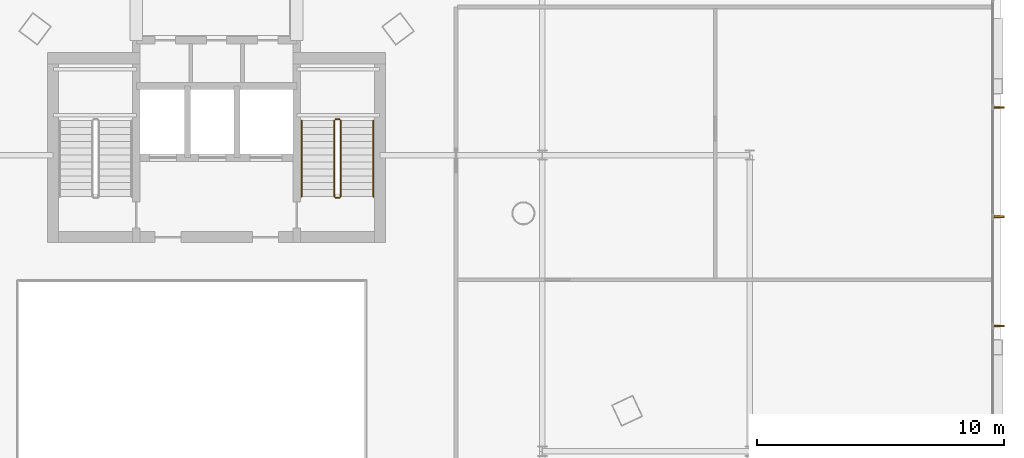
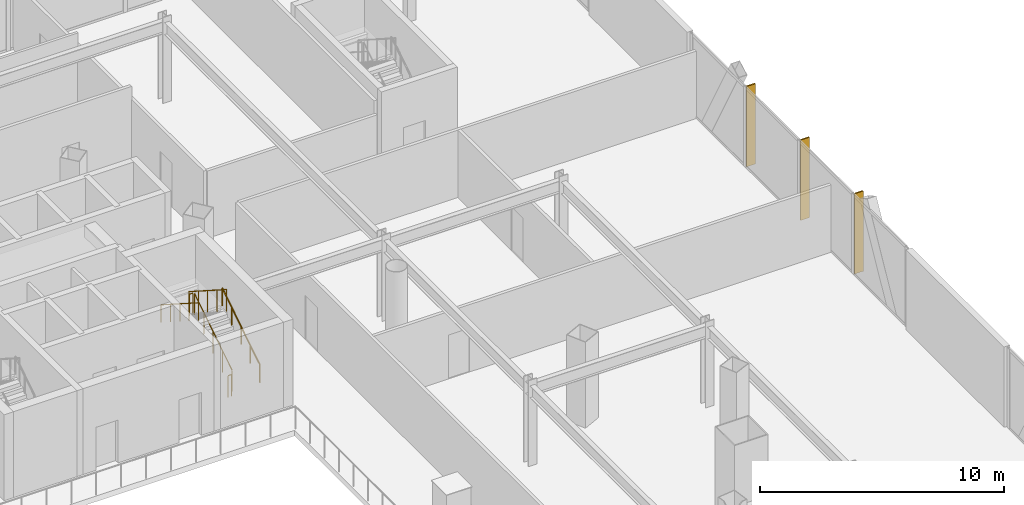
# One storey, part 39 of 42: 6 railings, 3 shading devices.
"""IFC4 building model written with IfcOpenShell, lengths in metres."""

import ifcopenshell
import ifcopenshell.guid

model = None  # the IFC model being written
_history = None  # IfcOwnerHistory: only IFC2X3 demands one
_inside = {}  # id of a spatial element -> (the spatial element, [elements in it])
_under = {}  # id of a project, library or spatial element -> (it, [spatial elements below it])
_declared = {}  # id of a project -> (the project, [libraries it declares])
_typed = {}  # id of a type object -> (the type object, [elements of that type])
_made_of = {}  # id of a material, layer set ... -> (it, [elements and type objects made of it])


def new_model(schema):
    """Start an empty IFC model of exactly this schema.

    Asked for "IFC4X3", IfcOpenShell would pick the latest addendum, in which some entities
    have other attributes; the version numbers below select the first issue.
    IFC2X3 requires an IfcOwnerHistory on every rooted entity: one is made here for all.
    """
    global model, _history
    if schema == "IFC4X3":
        model = ifcopenshell.file(schema_version=(4, 3, 0, 0))
    else:
        model = ifcopenshell.file(schema=schema)
    _inside.clear()
    _under.clear()
    _declared.clear()
    _typed.clear()
    _made_of.clear()
    _history = None
    if model.schema == "IFC2X3":
        org = make("IfcOrganization", Name="unknown")
        user = make(
            "IfcPersonAndOrganization",
            ThePerson=make("IfcPerson", FamilyName="unknown"),
            TheOrganization=org,
        )
        app = make(
            "IfcApplication",
            ApplicationDeveloper=org,
            Version="unknown",
            ApplicationFullName="unknown",
            ApplicationIdentifier="unknown",
        )
        _history = make(
            "IfcOwnerHistory",
            OwningUser=user,
            OwningApplication=app,
            ChangeAction="ADDED",
            CreationDate=0,
        )
    return model


def make(cls, **values):
    """One entity of the class cls with the attributes given. An attribute that is None is left unset."""
    return model.create_entity(
        cls, **{name: value for name, value in values.items() if value is not None}
    )


def rooted(cls, **values):
    """An entity with a GlobalId (a new one), such as an element, a storey or a relation."""
    return make(cls, GlobalId=ifcopenshell.guid.new(), OwnerHistory=_history, **values)


def si_unit(unit_type, name, prefix=None):
    """IfcSIUnit, for example si_unit("LENGTHUNIT", "METRE", prefix="MILLI")."""
    return make("IfcSIUnit", UnitType=unit_type, Prefix=prefix, Name=name)


def assignment(units):
    """IfcUnitAssignment: the units of a project."""
    return None if units is None else make("IfcUnitAssignment", Units=units)


def point(xyz):
    """IfcCartesianPoint."""
    return None if xyz is None else make("IfcCartesianPoint", Coordinates=xyz)


def direction(xyz):
    """IfcDirection."""
    return None if xyz is None else make("IfcDirection", DirectionRatios=xyz)


def frame(location, z_axis=None, x_axis=None):
    """IfcAxis2Placement3D, a coordinate frame: its origin and axes. An axis left out is left unset."""
    return make(
        "IfcAxis2Placement3D",
        Location=point(location),
        Axis=direction(z_axis),
        RefDirection=direction(x_axis),
    )


def frame_2d(location, x_axis=None):
    """IfcAxis2Placement2D, a coordinate frame in the plane: its origin and x axis."""
    return make(
        "IfcAxis2Placement2D", Location=point(location), RefDirection=direction(x_axis)
    )


def origin():
    """The frame at (0, 0, 0) with its axes left unset."""
    return frame((0.0, 0.0, 0.0))


def origin_2d():
    """The frame at (0, 0) in the plane with its x axis left unset."""
    return frame_2d((0.0, 0.0))


def place(relative_to, where):
    """IfcLocalPlacement: puts the frame where relative to a parent placement (None: the world)."""
    return make(
        "IfcLocalPlacement", PlacementRelTo=relative_to, RelativePlacement=where
    )


def context(
    kind, dimensions, precision=None, world=None, true_north=None, identifier=None
):
    """IfcGeometricRepresentationContext, for example the 3D "Model" context."""
    return make(
        "IfcGeometricRepresentationContext",
        ContextIdentifier=identifier,
        ContextType=kind,
        CoordinateSpaceDimension=dimensions,
        Precision=precision,
        WorldCoordinateSystem=world,
        TrueNorth=true_north,
    )


def subcontext(parent, identifier, kind, view, scale=None):
    """IfcGeometricRepresentationSubContext, for example "Body" below "Model"."""
    return make(
        "IfcGeometricRepresentationSubContext",
        ContextIdentifier=identifier,
        ContextType=kind,
        ParentContext=parent,
        TargetScale=scale,
        TargetView=view,
    )


def project(units=None, contexts=None):
    """IfcProject with its units and contexts."""
    return rooted(
        "IfcProject",
        Name="project",
        RepresentationContexts=contexts,
        UnitsInContext=assignment(units),
    )


def spatial(cls, under=None, at=None, **own):
    """A site, building, storey or space (cls), placed at a placement, below another one or the project."""
    s = rooted(cls, ObjectPlacement=at, **own)
    if under is not None:
        _under.setdefault(under.id(), (under, []))[1].append(s)
    return s


def profile(cls, at=None, kind="AREA", **sizes):
    """A parametric profile (cls). Its sizes go by their IFC names, for example OverallWidth=200.0."""
    return make(cls, ProfileType=kind, Position=at, **sizes)


def rectangle(**sizes):
    """IfcRectangleProfileDef."""
    return profile("IfcRectangleProfileDef", **sizes)


def circle(**sizes):
    """IfcCircleProfileDef."""
    return profile("IfcCircleProfileDef", **sizes)


def extrude(swept, where, along, depth):
    """IfcExtrudedAreaSolid: the profile swept, set in the frame where, extruded along a direction by depth."""
    return make(
        "IfcExtrudedAreaSolid",
        SweptArea=swept,
        Position=where,
        ExtrudedDirection=direction(along),
        Depth=depth,
    )


def shape(context_of_items, identifier, shape_type, items):
    """IfcShapeRepresentation: the items that make up one representation, for example the "Body"."""
    return make(
        "IfcShapeRepresentation",
        ContextOfItems=context_of_items,
        RepresentationIdentifier=identifier,
        RepresentationType=shape_type,
        Items=items,
    )


def material(Name=None, Category=None):
    """IfcMaterial."""
    return make("IfcMaterial", Name=Name, Category=Category)


def layer(
    of_material, thickness, ventilated=None, Name=None, Category=None, Priority=None
):
    """IfcMaterialLayer: one layer of a wall or slab, of a material (None: an air gap)."""
    return make(
        "IfcMaterialLayer",
        Material=of_material,
        LayerThickness=thickness,
        IsVentilated=ventilated,
        Name=Name,
        Category=Category,
        Priority=Priority,
    )


def layer_set(layers, Name=None):
    """IfcMaterialLayerSet."""
    return make("IfcMaterialLayerSet", MaterialLayers=layers, LayerSetName=Name)


def made_of(thing, what):
    """Note that an element or type object is made of a material, layer set ...; save() writes the relation."""
    if what is not None:
        _made_of.setdefault(what.id(), (what, []))[1].append(thing)
    return thing


def type_object(cls, material=None, **own):
    """A type object (cls), such as IfcWallType, which elements share."""
    return made_of(rooted(cls, **own), material)


def element(
    cls,
    number,
    at=None,
    inside=None,
    cuts=None,
    type_object=None,
    material=None,
    context=None,
    identifier="Body",
    shape_type=None,
    held_by="IfcProductDefinitionShape",
    body=None,
    shapes=None,
    **own,
):
    """One element of the class cls, such as IfcWall. Its Tag is "e" and its number.

    at: its placement. inside: the storey or other place that contains it. cuts: it is an
    opening in that element (IfcRelVoidsElement). A single representation is given by context,
    identifier, shape_type and body (its items); several are given by shapes. held_by: the class
    of the entity that holds the representations. save() writes the other relations.
    """
    e = rooted(cls, Tag="e%d" % number, ObjectPlacement=at, **own)
    if body is not None:
        shapes = [shape(context, identifier, shape_type, body)]
    if shapes is not None:
        e.Representation = make(held_by, Representations=shapes)
    if inside is not None:
        _inside.setdefault(inside.id(), (inside, []))[1].append(e)
    if cuts is not None:
        rooted(
            "IfcRelVoidsElement", RelatingBuildingElement=cuts, RelatedOpeningElement=e
        )
    if type_object is not None:
        _typed.setdefault(type_object.id(), (type_object, []))[1].append(e)
    return made_of(e, material)


def aggregate(whole, parts):
    """IfcRelAggregates: a whole, such as a stair, and the parts it consists of."""
    return rooted("IfcRelAggregates", RelatingObject=whole, RelatedObjects=parts)


def save(model, path):
    """Write the relations noted so far, then the file.

    IfcRelAggregates (storeys below a building ...), IfcRelContainedInSpatialStructure (elements
    in a storey), IfcRelDefinesByType, IfcRelAssociatesMaterial and IfcRelDeclares: one each for
    every whole, place, type object, material and project.
    """
    for whole, parts in _under.values():
        aggregate(whole, parts)
    for where, things in _inside.values():
        rooted(
            "IfcRelContainedInSpatialStructure",
            RelatedElements=things,
            RelatingStructure=where,
        )
    for kind, things in _typed.values():
        rooted("IfcRelDefinesByType", RelatedObjects=things, RelatingType=kind)
    for what, things in _made_of.values():
        rooted("IfcRelAssociatesMaterial", RelatedObjects=things, RelatingMaterial=what)
    for by, libraries in _declared.values():
        rooted("IfcRelDeclares", RelatingContext=by, RelatedDefinitions=libraries)
    model.write(path)


model = new_model("IFC4")

# Units and contexts
model_context = context("Model", 3, precision=1e-05, world=origin(), true_north=direction((0.0, 1.0)))
body_context = subcontext(model_context, "Body", "Model", "MODEL_VIEW")
ifc_project = project(units=[si_unit("LENGTHUNIT", "METRE"), si_unit("AREAUNIT", "SQUARE_METRE"), si_unit("VOLUMEUNIT", "CUBIC_METRE"), si_unit("PLANEANGLEUNIT", "RADIAN"), si_unit("MASSUNIT", "GRAM", prefix="KILO")], contexts=[model_context])

# Site, building, storey
site_placement = place(None, origin())
site = spatial("IfcSite", under=ifc_project, at=site_placement, CompositionType="ELEMENT")
building_placement = place(site_placement, origin())
building = spatial("IfcBuilding", under=site, at=building_placement, Name="Orvanel Arch Residences", CompositionType="ELEMENT")
storey_placement = place(building_placement, frame((0.0, 0.0, 9.800048828125)))
storey = spatial("IfcBuildingStorey", under=building, at=storey_placement, Name="L02", CompositionType="ELEMENT", Elevation=9.800048828125)

# Shading devices
ifc_material_1 = material(Name="Bronze-anodised aluminium AA6063-T6", Category="aluminium")
ifc_layer = layer(ifc_material_1, 0.06494140625)
ifc_layer_set = layer_set([ifc_layer], Name="Bronze-anodised aluminium AA6063-T6")
shading_device_type = type_object("IfcShadingDeviceType", Name="FIN-BRZ-420", PredefinedType="USERDEFINED", material=ifc_layer_set)
for number, where, z_axis, x_axis, name in (
    (1, (64.68994140625, 23.070068359375, 0.0), (0.0, 0.0, 1.0), (1.0, 0.0, 0.0), "L02 Anodised Bronze Mullion FIN 01"),
    (2, (64.68994140625, 27.5, 0.0), (0.0, 0.0, 1.0), (1.0, 0.0, 0.0), "L02 Anodised Bronze Mullion FIN 02"),
    (3, (64.68994140625, 31.929931640625, 0.0), (0.0, 0.0, 1.0), (1.0, 0.0, 0.0), "L02 Anodised Bronze Mullion FIN 03"),
):
    element("IfcShadingDevice", number, at=place(storey_placement, frame(where, z_axis=z_axis, x_axis=x_axis)), inside=storey, type_object=shading_device_type, Name=name, ObjectType="FIN", PredefinedType="USERDEFINED", context=body_context, shape_type="SweptSolid", body=[
        extrude(rectangle(XDim=0.419921875, YDim=0.06494140625, at=origin_2d()), origin(), (0.0, 0.0, 1.0), 4.02001953125),
    ])

# Railings
ifc_material_2 = material(Name="Structural steel AS/NZS 1163 C350L0 (Grade 350)", Category="steel")
railing_type_1 = type_object("IfcRailingType", Name="RL-STAIR-GUARD", PredefinedType="GUARDRAIL", material=ifc_material_2)
railing_1_placement = place(storey_placement, frame((38.030029296875, 28.320068359375, 0.17919921875)))
element("IfcRailing", 4, at=railing_1_placement, inside=storey, type_object=railing_type_1, Name="L02 ST-2 stair guard 1", PredefinedType="GUARDRAIL", context=body_context, shape_type="SweptSolid", body=[
    extrude(circle(Radius=0.02392578125, at=origin_2d()), frame((0.0, 0.001220703125, 1.076904296875), z_axis=(0.0, 0.842319903074, 0.538977903893), x_axis=(-1.0, 0.0, 0.0)), (0.0, 0.0, 1.0), 3.6533203125),
    extrude(circle(Radius=0.02099609375, at=origin_2d()), origin(), (0.0, 0.0, 1.0), 1.050048828125),
    extrude(circle(Radius=0.02099609375, at=origin_2d()), frame((0.0, 0.77001953125, 0.49267578125)), (0.0, 0.0, 1.0), 1.050048828125),
    extrude(circle(Radius=0.02099609375, at=origin_2d()), frame((0.0, 1.5400390625, 0.9853515625)), (0.0, 0.0, 1.0), 1.050048828125),
    extrude(circle(Radius=0.02099609375, at=origin_2d()), frame((0.0, 2.309814453125, 1.47802734375)), (0.0, 0.0, 1.0), 1.050048828125),
    extrude(circle(Radius=0.02099609375, at=origin_2d()), frame((0.0, 3.079833984375, 1.970703125)), (0.0, 0.0, 1.0), 1.050048828125),
])
railing_2_placement = place(storey_placement, frame((37.97998046875, 31.449951171875, 2.14990234375)))
element("IfcRailing", 5, at=railing_2_placement, inside=storey, type_object=railing_type_1, Name="L02 ST-2 stair guard 2", PredefinedType="GUARDRAIL", context=body_context, shape_type="SweptSolid", body=[
    extrude(circle(Radius=0.02392578125, at=origin_2d()), frame((-0.00146484375, 0.0, 1.076171875), z_axis=(-1.0, 0.0, 0.0), x_axis=(0.0, -1.0, 0.0)), (0.0, 0.0, 1.0), 0.156982421875),
    extrude(circle(Radius=0.02099609375, at=origin_2d()), origin(), (0.0, 0.0, 1.0), 1.050048828125),
    extrude(circle(Radius=0.02099609375, at=origin_2d()), frame((-0.159912109375, 0.0, 0.0)), (0.0, 0.0, 1.0), 1.050048828125),
])
railing_3_placement = place(storey_placement, frame((37.77001953125, 31.39990234375, 2.3291015625)))
element("IfcRailing", 6, at=railing_3_placement, inside=storey, type_object=railing_type_1, Name="L02 ST-2 stair guard 3", PredefinedType="GUARDRAIL", context=body_context, shape_type="SweptSolid", body=[
    extrude(circle(Radius=0.02392578125, at=origin_2d()), frame((0.0, -0.001220703125, 1.076904296875), z_axis=(0.0, -0.842289589211, 0.539025275759), x_axis=(1.0, 0.0, 0.0)), (0.0, 0.0, 1.0), 3.653564453125),
    extrude(circle(Radius=0.02099609375, at=origin_2d()), origin(), (0.0, 0.0, 1.0), 1.050048828125),
    extrude(circle(Radius=0.02099609375, at=origin_2d()), frame((0.0, -0.77001953125, 0.49267578125)), (0.0, 0.0, 1.0), 1.050048828125),
    extrude(circle(Radius=0.02099609375, at=origin_2d()), frame((0.0, -1.5400390625, 0.9853515625)), (0.0, 0.0, 1.0), 1.050048828125),
    extrude(circle(Radius=0.02099609375, at=origin_2d()), frame((0.0, -2.309814453125, 1.478271484375)), (0.0, 0.0, 1.0), 1.050048828125),
    extrude(circle(Radius=0.02099609375, at=origin_2d()), frame((0.0, -3.079833984375, 1.970947265625)), (0.0, 0.0, 1.0), 1.050048828125),
])
railing_4_placement = place(storey_placement, frame((37.97998046875, 28.27001953125, 0.0)))
element("IfcRailing", 7, at=railing_4_placement, inside=storey, type_object=railing_type_1, Name="L02 ST-2 stair guard 4", PredefinedType="GUARDRAIL", context=body_context, shape_type="SweptSolid", body=[
    extrude(circle(Radius=0.02392578125, at=origin_2d()), frame((-0.00146484375, 0.0, 1.076171875), z_axis=(-1.0, 0.0, 0.0), x_axis=(0.0, -1.0, 0.0)), (0.0, 0.0, 1.0), 0.156982421875),
    extrude(circle(Radius=0.02099609375, at=origin_2d()), origin(), (0.0, 0.0, 1.0), 1.050048828125),
    extrude(circle(Radius=0.02099609375, at=origin_2d()), frame((-0.159912109375, 0.0, 0.0)), (0.0, 0.0, 1.0), 1.050048828125),
])
railing_type_2 = type_object("IfcRailingType", Name="RL-STAIR-HAND", PredefinedType="HANDRAIL", material=ifc_material_2)
railing_5_placement = place(storey_placement, frame((39.35009765625, 28.320068359375, 0.17919921875)))
element("IfcRailing", 8, at=railing_5_placement, inside=storey, type_object=railing_type_2, Name="L02 ST-2 stair handrail 1", PredefinedType="HANDRAIL", context=body_context, shape_type="SweptSolid", body=[
    extrude(circle(Radius=0.02392578125, at=origin_2d()), frame((0.0, 0.001220703125, 0.876708984375), z_axis=(0.0, 0.842319903074, 0.538977903893), x_axis=(-1.0, 0.0, 0.0)), (0.0, 0.0, 1.0), 3.6533203125),
    extrude(circle(Radius=0.02099609375, at=origin_2d()), origin(), (0.0, 0.0, 1.0), 0.849853515625),
    extrude(circle(Radius=0.02099609375, at=origin_2d()), frame((0.0, 0.77001953125, 0.49267578125)), (0.0, 0.0, 1.0), 0.849853515625),
    extrude(circle(Radius=0.02099609375, at=origin_2d()), frame((0.0, 1.5400390625, 0.9853515625)), (0.0, 0.0, 1.0), 0.849853515625),
    extrude(circle(Radius=0.02099609375, at=origin_2d()), frame((0.0, 2.309814453125, 1.47802734375)), (0.0, 0.0, 1.0), 0.849853515625),
    extrude(circle(Radius=0.02099609375, at=origin_2d()), frame((0.0, 3.079833984375, 1.970703125)), (0.0, 0.0, 1.0), 0.849853515625),
])
railing_6_placement = place(storey_placement, frame((36.449951171875, 31.39990234375, 2.3291015625)))
element("IfcRailing", 9, at=railing_6_placement, inside=storey, type_object=railing_type_2, Name="L02 ST-2 stair handrail 2", PredefinedType="HANDRAIL", context=body_context, shape_type="SweptSolid", body=[
    extrude(circle(Radius=0.02392578125, at=origin_2d()), frame((0.0, -0.001220703125, 0.876708984375), z_axis=(0.0, -0.842289589211, 0.539025275759), x_axis=(1.0, 0.0, 0.0)), (0.0, 0.0, 1.0), 3.653564453125),
    extrude(circle(Radius=0.02099609375, at=origin_2d()), origin(), (0.0, 0.0, 1.0), 0.849853515625),
    extrude(circle(Radius=0.02099609375, at=origin_2d()), frame((0.0, -0.77001953125, 0.49267578125)), (0.0, 0.0, 1.0), 0.849853515625),
    extrude(circle(Radius=0.02099609375, at=origin_2d()), frame((0.0, -1.5400390625, 0.9853515625)), (0.0, 0.0, 1.0), 0.849853515625),
    extrude(circle(Radius=0.02099609375, at=origin_2d()), frame((0.0, -2.309814453125, 1.478271484375)), (0.0, 0.0, 1.0), 0.849853515625),
    extrude(circle(Radius=0.02099609375, at=origin_2d()), frame((0.0, -3.079833984375, 1.970947265625)), (0.0, 0.0, 1.0), 0.849853515625),
])

save(model, "model.ifc")
